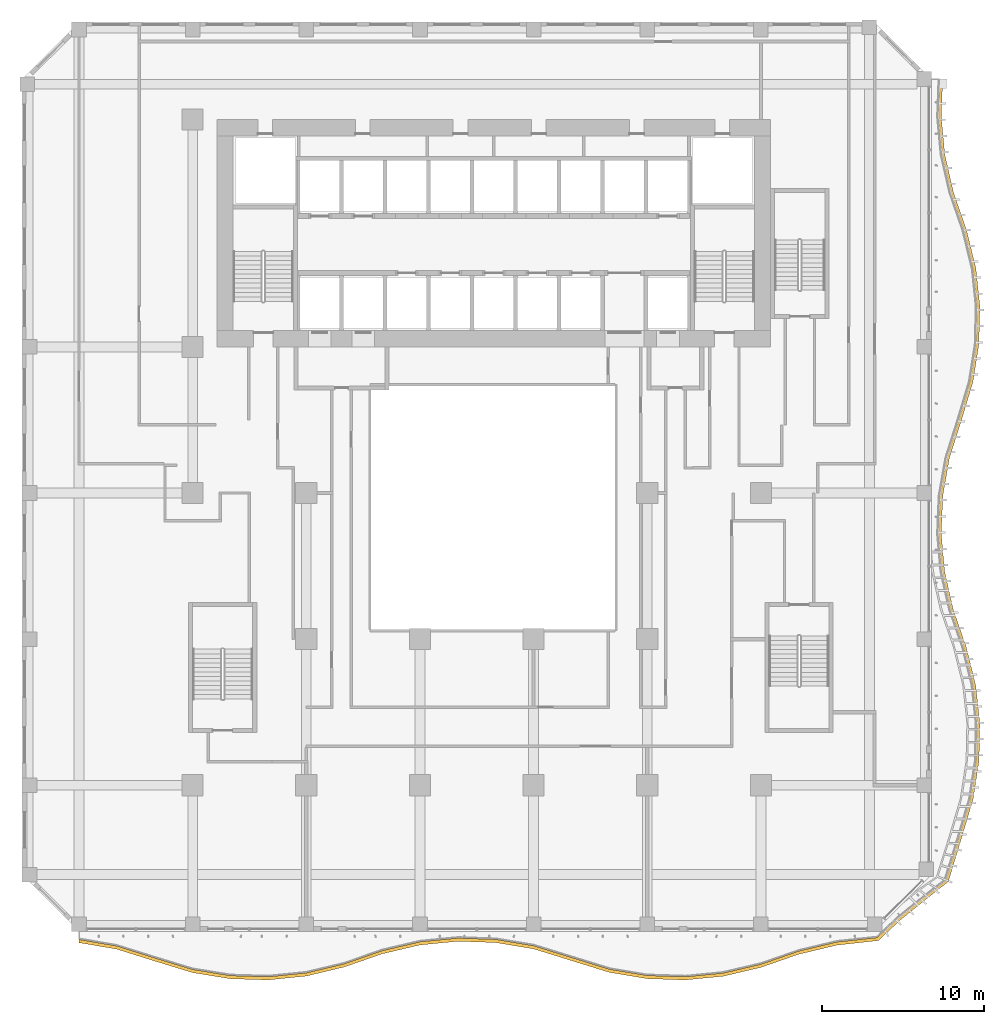
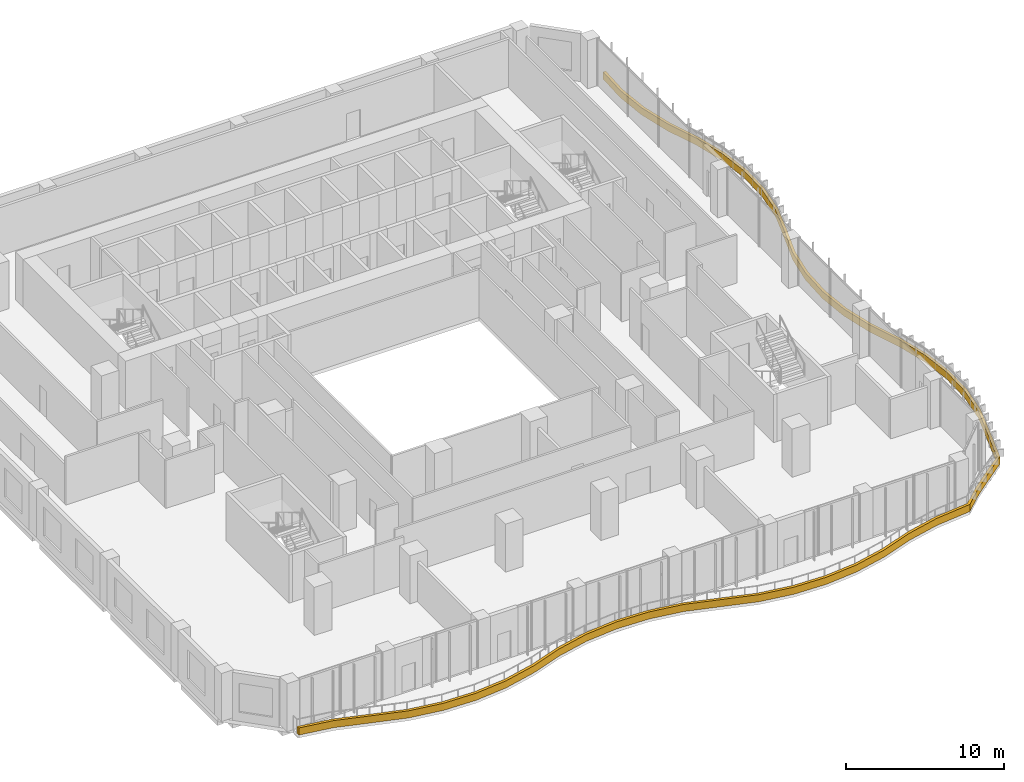
# One storey, part 21 of 27: 1 shading device.
"""IFC4 building model written with IfcOpenShell, lengths in metres."""

from ifc_helpers import new_model, si_unit, direction, frame, origin, place, context, subcontext, project, spatial, polyline, outline, extrude, source, transform, mapped, material, layer, layer_set, type_object, element, save


model = new_model("IFC4")

# Units and contexts
model_context = context("Model", 3, precision=1e-05, world=origin(), true_north=direction((0.0, 1.0)))
body_context = subcontext(model_context, "Body", "Model", "MODEL_VIEW")
ifc_project = project(units=[si_unit("LENGTHUNIT", "METRE"), si_unit("AREAUNIT", "SQUARE_METRE"), si_unit("VOLUMEUNIT", "CUBIC_METRE"), si_unit("PLANEANGLEUNIT", "RADIAN"), si_unit("MASSUNIT", "GRAM", prefix="KILO")], contexts=[model_context])

# Site, building, storey
site_placement = place(None, origin())
site = spatial("IfcSite", under=ifc_project, at=site_placement, CompositionType="ELEMENT")
building_placement = place(site_placement, origin())
building = spatial("IfcBuilding", under=site, at=building_placement, Name="Kilnfold Tower and Market Hall", CompositionType="ELEMENT")
storey_placement = place(building_placement, frame((0.0, 0.0, 43.0)))
storey = spatial("IfcBuildingStorey", under=building, at=storey_placement, Name="L09", CompositionType="ELEMENT", Elevation=43.0)

# Shading device
ifc_material = material(Name="Precast concrete C50/60", Category="concrete")
ifc_layer = layer(ifc_material, 0.550048828125)
ifc_layer_set = layer_set([ifc_layer], Name="Precast concrete C50/60")
shading_device_type = type_object("IfcShadingDeviceType", Name="BALCONY UPSTAND 550", PredefinedType="USERDEFINED", material=ifc_layer_set)
shared_shape = source(origin(), body_context, "Body", "SweptSolid", [
    extrude(outline(polyline([(-24.5, -28.69482421875), (-22.166748046875, -29.09423828125), (-19.833251953125, -29.8271484375), (-17.5, -30.5390625), (-15.166748046875, -30.919189453125), (-12.833251953125, -30.98876953125), (-10.5, -30.751220703125), (-8.166748046875, -30.194091796875), (-5.833251953125, -29.384033203125), (-3.5, -28.8369140625), (-1.166748046875, -28.60888671875), (1.166748046875, -28.687744140625), (3.5, -29.077392578125), (5.833251953125, -29.800048828125), (8.166748046875, -30.5224609375), (10.5, -30.912353515625), (12.833251953125, -30.990966796875), (15.166748046875, -30.762939453125), (17.5, -30.216064453125), (19.833251953125, -29.406005859375), (22.166748046875, -28.848876953125), (24.73388671875, -28.564697265625), (26.111328125, -27.27783203125), (27.39892578125, -26.232421875), (29.04296875, -24.931884765625), (29.880615234375, -22.166748046875), (30.5712890625, -19.833251953125), (30.93212890625, -17.5), (30.98291015625, -15.166748046875), (30.726806640625, -12.833251953125), (30.1494140625, -10.5), (29.34130859375, -8.166748046875), (28.814208984375, -5.833251953125), (28.60498046875, -3.5), (28.702392578125, -1.166748046875), (29.111572265625, 1.166748046875), (29.85400390625, 3.5), (30.555419921875, 5.833251953125), (30.92578125, 8.166748046875), (30.986083984375, 10.5), (30.7392578125, 12.833251953125), (30.171875, 15.166748046875), (29.362548828125, 17.5), (28.825439453125, 19.833251953125), (28.60693359375, 22.166748046875), (28.69482421875, 24.5), (28.494873046875, 24.5), (28.406982421875, 22.166748046875), (28.62548828125, 19.833251953125), (29.16259765625, 17.5), (29.971923828125, 15.166748046875), (30.539306640625, 12.833251953125), (30.785888671875, 10.5), (30.725830078125, 8.166748046875), (30.355224609375, 5.833251953125), (29.654052734375, 3.5), (28.91162109375, 1.166748046875), (28.50244140625, -1.166748046875), (28.405029296875, -3.5), (28.6142578125, -5.833251953125), (29.141357421875, -8.166748046875), (29.949462890625, -10.5), (30.52685546875, -12.833251953125), (30.782958984375, -15.166748046875), (30.732177734375, -17.5), (30.371337890625, -19.833251953125), (29.680419921875, -22.166748046875), (28.858154296875, -24.85546875), (27.257568359375, -26.0908203125), (25.969970703125, -27.136474609375), (24.657470703125, -28.3798828125), (22.166748046875, -28.648681640625), (19.833251953125, -29.205810546875), (17.5, -30.01611328125), (15.166748046875, -30.56298828125), (12.833251953125, -30.791015625), (10.5, -30.71240234375), (8.166748046875, -30.322509765625), (5.833251953125, -29.60009765625), (3.5, -28.87744140625), (1.166748046875, -28.48779296875), (-1.166748046875, -28.408935546875), (-3.5, -28.636962890625), (-5.833251953125, -29.18408203125), (-8.166748046875, -29.994140625), (-10.5, -30.55126953125), (-12.833251953125, -30.788818359375), (-15.166748046875, -30.71923828125), (-17.5, -30.339111328125), (-19.833251953125, -29.627197265625), (-22.166748046875, -28.894287109375), (-24.5, -28.494873046875), (-24.5, -28.69482421875)])), origin(), (0.0, 0.0, 1.0), 0.550048828125),
])
shading_device_placement = place(storey_placement, origin())
element("IfcShadingDevice", 1, at=shading_device_placement, inside=storey, type_object=shading_device_type, Name="Balcony fascia L09", ObjectType="FASCIA", PredefinedType="USERDEFINED", context=body_context, shape_type="MappedRepresentation", body=[
    mapped(shared_shape, transform((0.0, 0.0, 0.0))),
])

save(model, "model.ifc")
